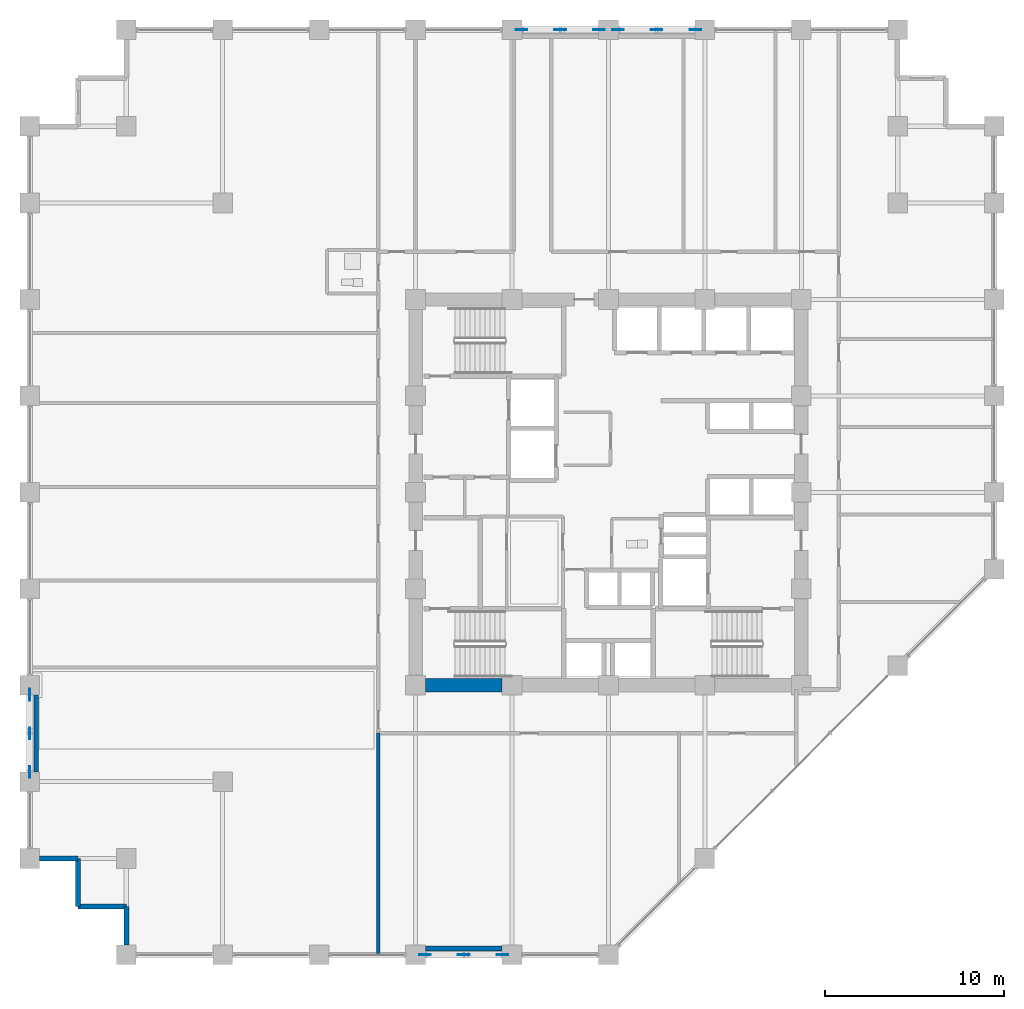
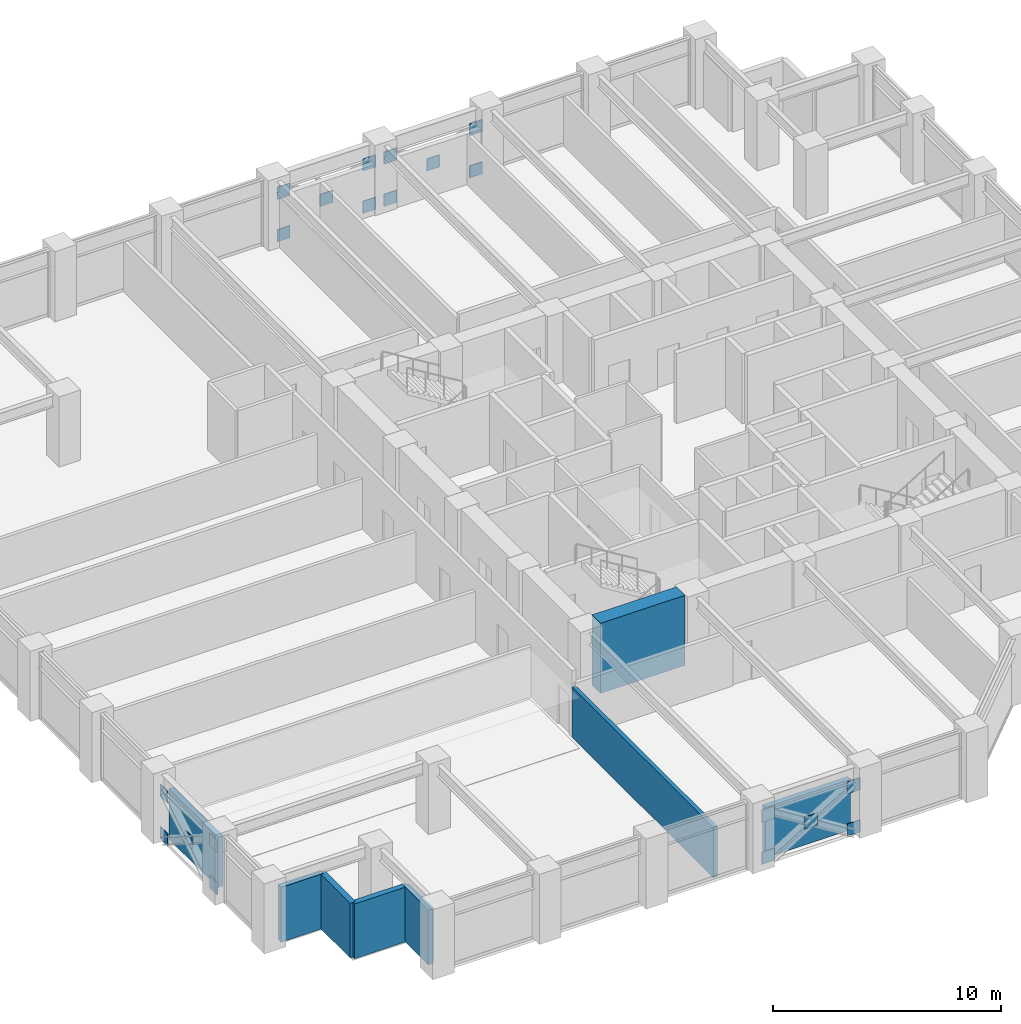
# One storey, part 18 of 25: 20 plates, 8 walls.
"""IFC4 building model written with IfcOpenShell, lengths in metres."""

from ifc_helpers import new_model, si_unit, direction, frame, frame_2d, origin, origin_2d, place, context, subcontext, project, spatial, rectangle, extrude, material, layer, layer_set, type_object, element, save


model = new_model("IFC4")

# Units and contexts
model_context = context("Model", 3, precision=1e-05, world=origin(), true_north=direction((0.0, 1.0)))
body_context = subcontext(model_context, "Body", "Model", "MODEL_VIEW")
ifc_project = project(units=[si_unit("LENGTHUNIT", "METRE"), si_unit("AREAUNIT", "SQUARE_METRE"), si_unit("VOLUMEUNIT", "CUBIC_METRE"), si_unit("PLANEANGLEUNIT", "RADIAN"), si_unit("MASSUNIT", "GRAM", prefix="KILO")], contexts=[model_context])

# Site, building, storey
site_placement = place(None, origin())
site = spatial("IfcSite", under=ifc_project, at=site_placement, CompositionType="ELEMENT")
building_placement = place(site_placement, origin())
building = spatial("IfcBuilding", under=site, at=building_placement, Name="Surkhivell Harbour Commons", CompositionType="ELEMENT")
storey_placement = place(building_placement, frame((0.0, 0.0, 109.5)))
storey = spatial("IfcBuildingStorey", under=building, at=storey_placement, Name="L28", CompositionType="ELEMENT", Elevation=109.5)

# Plates
ifc_material_1 = material(Name="Steel S460", Category="steel")
ifc_layer_1 = layer(ifc_material_1, 0.044921875)
ifc_layer_set_1 = layer_set([ifc_layer_1], Name="Steel S460")
plate_type = type_object("IfcPlateType", Name="PLT-GUS-650", PredefinedType="USERDEFINED", material=ifc_layer_set_1)
for number, where, z_axis, x_axis, name in (
    (1, (-4.864990234375, 25.89990234375, -0.08935546875), (0.0, 0.0, 1.0), (1.0, 0.0, 0.0), "L28 Perimeter Mega-Brace MB- Corner Gusset N-1"),
    (2, (-0.534912109375, 25.89990234375, -0.08935546875), (0.0, 0.0, 1.0), (1.0, 0.0, 0.0), "L28 Perimeter Mega-Brace MB- Corner Gusset N-2"),
    (3, (-4.864990234375, 25.89990234375, 2.170654296875), (0.0, 0.0, 1.0), (1.0, 0.0, 0.0), "L28 Perimeter Mega-Brace MB- Corner Gusset N-3"),
    (4, (-0.534912109375, 25.89990234375, 2.170654296875), (0.0, 0.0, 1.0), (1.0, 0.0, 0.0), "L28 Perimeter Mega-Brace MB- Corner Gusset N-4"),
    (5, (-2.699951171875, 25.89990234375, 1.04052734375), (0.0, 0.0, 1.0), (1.0, 0.0, 0.0), "L28 Perimeter Mega-Brace MB- Central Crossing Gusset N"),
    (6, (0.534912109375, 25.89990234375, -0.08935546875), (0.0, 0.0, 1.0), (1.0, 0.0, 0.0), "L28 Perimeter Mega-Brace MB- Corner Gusset N2-1"),
    (7, (4.864990234375, 25.89990234375, -0.08935546875), (0.0, 0.0, 1.0), (1.0, 0.0, 0.0), "L28 Perimeter Mega-Brace MB- Corner Gusset N2-2"),
    (8, (0.534912109375, 25.89990234375, 2.170654296875), (0.0, 0.0, 1.0), (1.0, 0.0, 0.0), "L28 Perimeter Mega-Brace MB- Corner Gusset N2-3"),
    (9, (4.864990234375, 25.89990234375, 2.170654296875), (0.0, 0.0, 1.0), (1.0, 0.0, 0.0), "L28 Perimeter Mega-Brace MB- Corner Gusset N2-4"),
    (10, (2.699951171875, 25.89990234375, 1.04052734375), (0.0, 0.0, 1.0), (1.0, 0.0, 0.0), "L28 Perimeter Mega-Brace MB- Central Crossing Gusset N2"),
    (11, (-10.264892578125, -25.89990234375, -0.08935546875), (0.0, 0.0, 1.0), (1.0, 0.0, 0.0), "L28 Perimeter Mega-Brace MB- Corner Gusset S-1"),
    (12, (-5.93505859375, -25.89990234375, -0.08935546875), (0.0, 0.0, 1.0), (1.0, 0.0, 0.0), "L28 Perimeter Mega-Brace MB- Corner Gusset S-2"),
    (13, (-10.264892578125, -25.89990234375, 2.170654296875), (0.0, 0.0, 1.0), (1.0, 0.0, 0.0), "L28 Perimeter Mega-Brace MB- Corner Gusset S-3"),
    (14, (-5.93505859375, -25.89990234375, 2.170654296875), (0.0, 0.0, 1.0), (1.0, 0.0, 0.0), "L28 Perimeter Mega-Brace MB- Corner Gusset S-4"),
    (15, (-8.10009765625, -25.89990234375, 1.04052734375), (0.0, 0.0, 1.0), (1.0, 0.0, 0.0), "L28 Perimeter Mega-Brace MB- Central Crossing Gusset S"),
    (16, (-32.39990234375, -15.6650390625, -0.08935546875), (0.0, 0.0, 1.0), (0.0, 1.0, 0.0), "L28 Perimeter Mega-Brace MB- Corner Gusset W-1"),
    (17, (-32.39990234375, -11.3349609375, -0.08935546875), (0.0, 0.0, 1.0), (0.0, 1.0, 0.0), "L28 Perimeter Mega-Brace MB- Corner Gusset W-2"),
    (18, (-32.39990234375, -15.6650390625, 2.170654296875), (0.0, 0.0, 1.0), (0.0, 1.0, 0.0), "L28 Perimeter Mega-Brace MB- Corner Gusset W-3"),
    (19, (-32.39990234375, -11.3349609375, 2.170654296875), (0.0, 0.0, 1.0), (0.0, 1.0, 0.0), "L28 Perimeter Mega-Brace MB- Corner Gusset W-4"),
    (20, (-32.39990234375, -13.5, 1.04052734375), (0.0, 0.0, 1.0), (0.0, 1.0, 0.0), "L28 Perimeter Mega-Brace MB- Central Crossing Gusset W"),
):
    element("IfcPlate", number, at=place(storey_placement, frame(where, z_axis=z_axis, x_axis=x_axis)), inside=storey, type_object=plate_type, Name=name, ObjectType="GUSSET_PLATE", PredefinedType="USERDEFINED", context=body_context, shape_type="SweptSolid", body=[
        extrude(rectangle(XDim=0.64990234375, YDim=0.044921875, at=origin_2d()), origin(), (0.0, 0.0, 1.0), 0.64990234375),
    ])

# Walls
ifc_material_2 = material(Name="Concrete C60/75", Category="concrete")
ifc_layer_2 = layer(ifc_material_2, 0.75)
ifc_layer_set_2 = layer_set([ifc_layer_2], Name="Concrete C60/75")
wall_type_1 = type_object("IfcWallType", Name="WAL-CORE-750", PredefinedType="SHEAR", material=ifc_layer_set_2)
wall_1_placement = place(storey_placement, frame((-10.239990234375, -10.800048828125, 0.0), z_axis=(0.0, 0.0, 1.0), x_axis=(1.0, 0.0, 0.0)))
element("IfcWall", 21, at=wall_1_placement, inside=storey, type_object=wall_type_1, Name="L28 Core Shear Wall South 1", PredefinedType="SHEAR", context=body_context, shape_type="SweptSolid", body=[
    extrude(rectangle(XDim=4.280029296875, YDim=0.75, at=frame_2d((2.14013671875, 0.0))), origin(), (0.0, 0.0, 1.0), 3.75),
])
ifc_material_3 = material(Name="Pale-metal insulated precast concrete C45/55", Category="concrete")
ifc_layer_3 = layer(ifc_material_3, 0.260009765625)
ifc_layer_set_3 = layer_set([ifc_layer_3], Name="Pale-metal insulated precast concrete C45/55")
wall_type_2 = type_object("IfcWallType", Name="WAL-EXT-MTL260", PredefinedType="STANDARD", material=ifc_layer_set_3)
wall_2_placement = place(storey_placement, frame((-10.251953125, -25.5400390625, 0.0), z_axis=(0.0, 0.0, 1.0), x_axis=(1.0, 0.0, 0.0)))
element("IfcWall", 22, at=wall_2_placement, inside=storey, type_object=wall_type_2, Name="L28 Braced-Bay Insulated Spandrel Backing S", PredefinedType="STANDARD", context=body_context, shape_type="SweptSolid", body=[
    extrude(rectangle(XDim=4.303955078125, YDim=0.260009765625, at=frame_2d((2.15185546875, 0.0))), origin(), (0.0, 0.0, 1.0), 2.698974609375),
])
wall_3_placement = place(storey_placement, frame((-32.0400390625, -11.347900390625, 0.0), z_axis=(0.0, 0.0, 1.0), x_axis=(0.0, -1.0, 0.0)))
element("IfcWall", 23, at=wall_3_placement, inside=storey, type_object=wall_type_2, Name="L28 Braced-Bay Insulated Spandrel Backing W", PredefinedType="STANDARD", context=body_context, shape_type="SweptSolid", body=[
    extrude(rectangle(XDim=4.30419921875, YDim=0.260009765625, at=frame_2d((2.152099609375, 0.0))), origin(), (0.0, 0.0, 1.0), 2.698974609375),
])
ifc_material_4 = material(Name="Terracotta-clad reinforced concrete C45/55", Category="masonry")
ifc_layer_4 = layer(ifc_material_4, 0.280029296875)
ifc_layer_set_4 = layer_set([ifc_layer_4], Name="Terracotta-clad reinforced concrete C45/55")
wall_type_3 = type_object("IfcWallType", Name="WAL-EXT-TER280", PredefinedType="STANDARD", material=ifc_layer_set_4)
wall_4_placement = place(storey_placement, frame((-31.85205078125, -20.5, 0.0), z_axis=(0.0, 0.0, 1.0), x_axis=(1.0, 0.0, 0.0)))
element("IfcWall", 24, at=wall_4_placement, inside=storey, type_object=wall_type_3, Name="L28 Serrated Corner Facade Wall 13", PredefinedType="STANDARD", context=body_context, shape_type="SweptSolid", body=[
    extrude(rectangle(XDim=2.152099609375, YDim=0.280029296875, at=frame_2d((1.076171875, 0.0))), origin(), (0.0, 0.0, 1.0), 2.93310546875),
])
for number, where, z_axis, x_axis, name in (
    (25, (-29.699951171875, -20.5, 0.0), (0.0, 0.0, 1.0), (0.0, -1.0, 0.0), "L28 Serrated Corner Facade Wall 14"),
    (26, (-29.699951171875, -23.199951171875, 0.0), (0.0, 0.0, 1.0), (1.0, 0.0, 0.0), "L28 Serrated Corner Facade Wall 15"),
):
    element("IfcWall", number, at=place(storey_placement, frame(where, z_axis=z_axis, x_axis=x_axis)), inside=storey, type_object=wall_type_3, Name=name, PredefinedType="STANDARD", context=body_context, shape_type="SweptSolid", body=[
        extrude(rectangle(XDim=2.699951171875, YDim=0.280029296875, at=frame_2d((1.35009765625, 0.0))), origin(), (0.0, 0.0, 1.0), 2.93310546875),
    ])
wall_5_placement = place(storey_placement, frame((-27.0, -23.199951171875, 0.0), z_axis=(0.0, 0.0, 1.0), x_axis=(0.0, -1.0, 0.0)))
element("IfcWall", 27, at=wall_5_placement, inside=storey, type_object=wall_type_3, Name="L28 Serrated Corner Facade Wall 16", PredefinedType="STANDARD", context=body_context, shape_type="SweptSolid", body=[
    extrude(rectangle(XDim=2.152099609375, YDim=0.280029296875, at=frame_2d((1.076171875, 0.0))), origin(), (0.0, 0.0, 1.0), 2.93310546875),
])
ifc_material_5 = material(Name="Autoclaved aerated concrete blockwork and fire plaster", Category="masonry")
ifc_layer_5 = layer(ifc_material_5, 0.199951171875)
ifc_layer_set_5 = layer_set([ifc_layer_5], Name="Autoclaved aerated concrete blockwork and fire plaster")
wall_type_4 = type_object("IfcWallType", Name="WAL-INT-200", PredefinedType="PARTITIONING", material=ifc_layer_set_5)
wall_6_placement = place(storey_placement, frame((-12.89990234375, -25.840087890625, 0.0), z_axis=(0.0, 0.0, 1.0), x_axis=(0.0, 1.0, 0.0)))
element("IfcWall", 28, at=wall_6_placement, inside=storey, type_object=wall_type_4, Name="L28 South-West Wing Corner Divider", PredefinedType="PARTITIONING", context=body_context, shape_type="SweptSolid", body=[
    extrude(rectangle(XDim=12.360107421875, YDim=0.199951171875, at=frame_2d((6.18017578125, 0.0))), origin(), (0.0, 0.0, 1.0), 2.698974609375),
])

save(model, "model.ifc")
